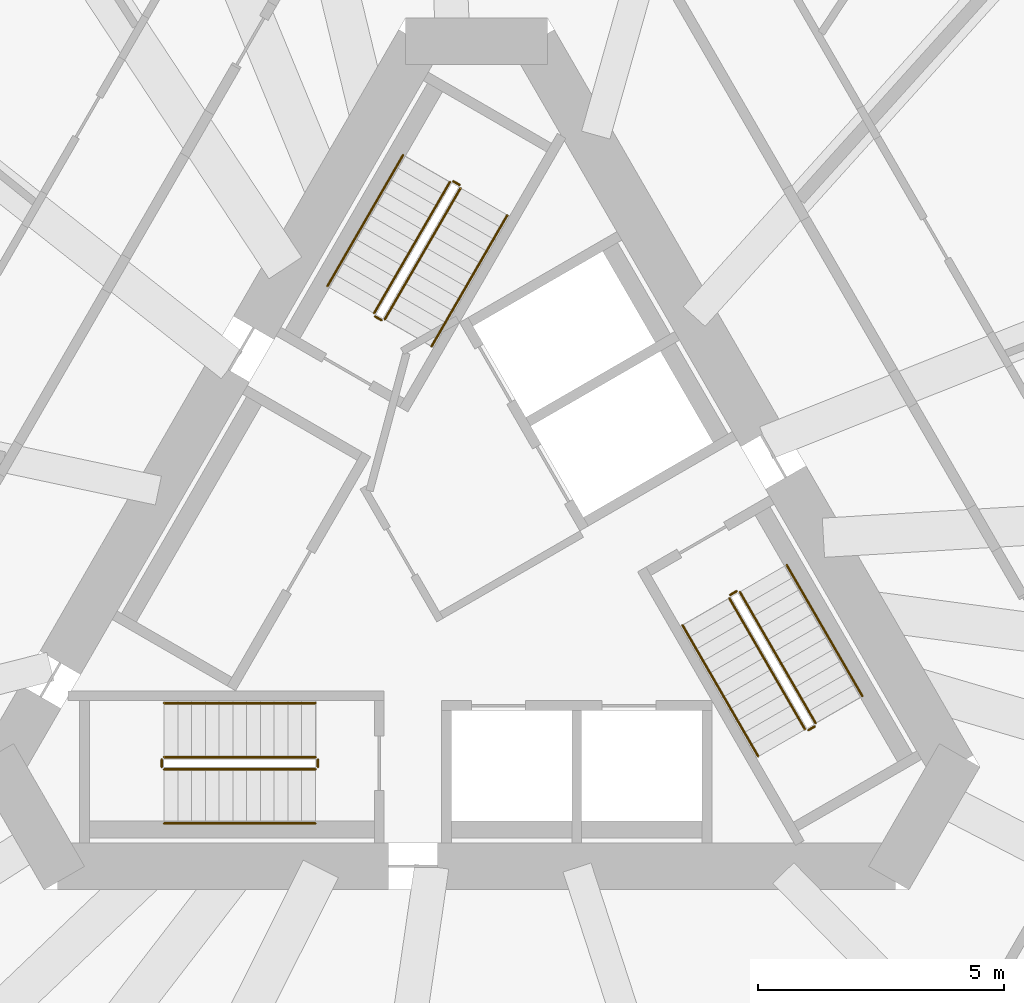
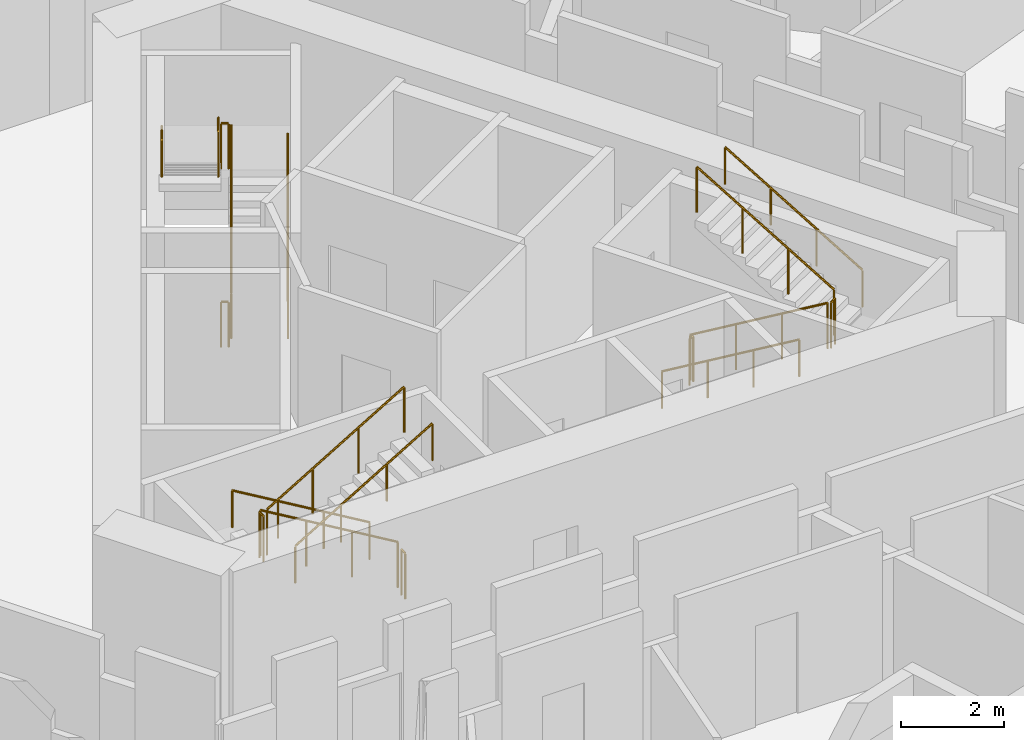
# One storey, part 11 of 12: 18 railings.
"""IFC4 building model written with IfcOpenShell, lengths in metres."""

from ifc_helpers import new_model, si_unit, direction, frame, origin, origin_2d, place, context, subcontext, project, spatial, circle, extrude, material, type_object, element, save


model = new_model("IFC4")

# Units and contexts
model_context = context("Model", 3, precision=1e-05, world=origin(), true_north=direction((0.0, 1.0)))
body_context = subcontext(model_context, "Body", "Model", "MODEL_VIEW")
ifc_project = project(units=[si_unit("LENGTHUNIT", "METRE"), si_unit("AREAUNIT", "SQUARE_METRE"), si_unit("VOLUMEUNIT", "CUBIC_METRE"), si_unit("PLANEANGLEUNIT", "RADIAN"), si_unit("MASSUNIT", "GRAM", prefix="KILO")], contexts=[model_context])

# Site, building, storey
site_placement = place(None, origin())
site = spatial("IfcSite", under=ifc_project, at=site_placement, CompositionType="ELEMENT")
building_placement = place(site_placement, origin())
building = spatial("IfcBuilding", under=site, at=building_placement, Name="Tramontana Tower", CompositionType="ELEMENT")
storey_placement = place(building_placement, frame((0.0, 0.0, 96.39990234375)))
storey = spatial("IfcBuildingStorey", under=building, at=storey_placement, Name="L21", CompositionType="ELEMENT", Elevation=96.39990234375)

# Railings
ifc_material_1 = material(Name="Painted steel", Category="steel")
railing_type_1 = type_object("IfcRailingType", Name="STAIR GUARD 1100", PredefinedType="GUARDRAIL", material=ifc_material_1)
railing_1_placement = place(storey_placement, frame((-1.867431640625, 4.865478515625, 0.166748046875)))
element("IfcRailing", 1, at=railing_1_placement, inside=storey, type_object=railing_type_1, Name="L21 ST1 stair guard 1", PredefinedType="GUARDRAIL", context=body_context, shape_type="SweptSolid", body=[
    extrude(circle(Radius=0.02392578125, at=origin_2d()), frame((0.0, 0.0, 1.076171875), z_axis=(0.429649414936, 0.744189839504, 0.511451721109), x_axis=(-0.866029832698, 0.499992328818, 0.0)), (0.0, 0.0, 1.0), 3.58447265625),
    extrude(circle(Radius=0.02099609375, at=origin_2d()), origin(), (0.0, 0.0, 1.0), 1.052001953125),
    extrude(circle(Radius=0.02099609375, at=origin_2d()), frame((0.513427734375, 0.88916015625, 0.611083984375)), (0.0, 0.0, 1.0), 1.052001953125),
    extrude(circle(Radius=0.02099609375, at=origin_2d()), frame((1.026611328125, 1.7783203125, 1.22216796875)), (0.0, 0.0, 1.0), 1.052001953125),
    extrude(circle(Radius=0.02099609375, at=origin_2d()), frame((1.5400390625, 2.66748046875, 1.833251953125)), (0.0, 0.0, 1.0), 1.052001953125),
])
railing_2_placement = place(storey_placement, frame((-0.5439453125, 7.657958984375, 2.166748046875)))
element("IfcRailing", 2, at=railing_2_placement, inside=storey, type_object=railing_type_1, Name="L21 ST1 stair guard 2", PredefinedType="GUARDRAIL", context=body_context, shape_type="SweptSolid", body=[
    extrude(circle(Radius=0.02392578125, at=origin_2d()), frame((0.0, 0.0, 1.076171875), z_axis=(-0.429649414936, -0.744189839504, 0.511451721109), x_axis=(0.866029832698, -0.499992328818, 0.0)), (0.0, 0.0, 1.0), 3.58447265625),
    extrude(circle(Radius=0.02099609375, at=origin_2d()), origin(), (0.0, 0.0, 1.0), 1.052001953125),
    extrude(circle(Radius=0.02099609375, at=origin_2d()), frame((-0.513427734375, -0.88916015625, 0.611083984375)), (0.0, 0.0, 1.0), 1.052001953125),
    extrude(circle(Radius=0.02099609375, at=origin_2d()), frame((-1.026611328125, -1.7783203125, 1.22216796875)), (0.0, 0.0, 1.0), 1.052001953125),
    extrude(circle(Radius=0.02099609375, at=origin_2d()), frame((-1.5400390625, -2.66748046875, 1.833251953125)), (0.0, 0.0, 1.0), 1.052001953125),
])
railing_3_placement = place(storey_placement, frame((-0.345703125, 7.601318359375, 2.0)))
element("IfcRailing", 3, at=railing_3_placement, inside=storey, type_object=railing_type_1, Name="L21 ST1 stair guard 3", PredefinedType="GUARDRAIL", context=body_context, shape_type="SweptSolid", body=[
    extrude(circle(Radius=0.02392578125, at=origin_2d()), frame((0.0, 0.0, 1.076171875), z_axis=(-0.866131372301, 0.499816412211, 0.0), x_axis=(-0.499816412211, -0.866131372301, 0.0)), (0.0, 0.0, 1.0), 0.14990234375),
    extrude(circle(Radius=0.02099609375, at=origin_2d()), origin(), (0.0, 0.0, 1.0), 1.052001953125),
    extrude(circle(Radius=0.02099609375, at=origin_2d()), frame((-0.1298828125, 0.074951171875, 0.0)), (0.0, 0.0, 1.0), 1.052001953125),
])
railing_4_placement = place(storey_placement, frame((-1.935791015625, 4.84716796875, 0.0)))
element("IfcRailing", 4, at=railing_4_placement, inside=storey, type_object=railing_type_1, Name="L21 ST1 stair guard 4", PredefinedType="GUARDRAIL", context=body_context, shape_type="SweptSolid", body=[
    extrude(circle(Radius=0.02392578125, at=origin_2d()), frame((0.0, 0.0, 1.076171875), z_axis=(-0.865426285481, 0.501036270542, 0.0), x_axis=(-0.501036270542, -0.865426285481, 0.0)), (0.0, 0.0, 1.0), 0.150146484375),
    extrude(circle(Radius=0.02099609375, at=origin_2d()), origin(), (0.0, 0.0, 1.0), 1.052001953125),
    extrude(circle(Radius=0.02099609375, at=origin_2d()), frame((-0.1298828125, 0.0751953125, 0.0)), (0.0, 0.0, 1.0), 1.052001953125),
])
railing_5_placement = place(storey_placement, frame((-3.280029296875, -4.050048828125, 0.166748046875)))
element("IfcRailing", 5, at=railing_5_placement, inside=storey, type_object=railing_type_1, Name="L21 ST2 stair guard 1", PredefinedType="GUARDRAIL", context=body_context, shape_type="SweptSolid", body=[
    extrude(circle(Radius=0.02392578125, at=origin_2d()), frame((0.0, 0.0, 1.076171875), z_axis=(-0.859308565015, 0.0, 0.511457515432), x_axis=(0.0, -1.0, 0.0)), (0.0, 0.0, 1.0), 3.58447265625),
    extrude(circle(Radius=0.02099609375, at=origin_2d()), origin(), (0.0, 0.0, 1.0), 1.052001953125),
    extrude(circle(Radius=0.02099609375, at=origin_2d()), frame((-1.026611328125, 0.0, 0.611083984375)), (0.0, 0.0, 1.0), 1.052001953125),
    extrude(circle(Radius=0.02099609375, at=origin_2d()), frame((-2.053466796875, 0.0, 1.22216796875)), (0.0, 0.0, 1.0), 1.052001953125),
    extrude(circle(Radius=0.02099609375, at=origin_2d()), frame((-3.080078125, 0.0, 1.833251953125)), (0.0, 0.0, 1.0), 1.052001953125),
])
railing_6_placement = place(storey_placement, frame((-6.360107421875, -4.300048828125, 2.166748046875)))
element("IfcRailing", 6, at=railing_6_placement, inside=storey, type_object=railing_type_1, Name="L21 ST2 stair guard 2", PredefinedType="GUARDRAIL", context=body_context, shape_type="SweptSolid", body=[
    extrude(circle(Radius=0.02392578125, at=origin_2d()), frame((0.0, 0.0, 1.076171875), z_axis=(0.859308565015, 0.0, 0.511457515432), x_axis=(0.0, 1.0, 0.0)), (0.0, 0.0, 1.0), 3.58447265625),
    extrude(circle(Radius=0.02099609375, at=origin_2d()), origin(), (0.0, 0.0, 1.0), 1.052001953125),
    extrude(circle(Radius=0.02099609375, at=origin_2d()), frame((1.026611328125, 0.0, 0.611083984375)), (0.0, 0.0, 1.0), 1.052001953125),
    extrude(circle(Radius=0.02099609375, at=origin_2d()), frame((2.053466796875, 0.0, 1.22216796875)), (0.0, 0.0, 1.0), 1.052001953125),
    extrude(circle(Radius=0.02099609375, at=origin_2d()), frame((3.080078125, 0.0, 1.833251953125)), (0.0, 0.0, 1.0), 1.052001953125),
])
for number, where, name in (
    (7, (-6.409912109375, -4.10009765625, 2.0), "L21 ST2 stair guard 3"),
    (8, (-3.22998046875, -4.10009765625, 0.0), "L21 ST2 stair guard 4"),
):
    element("IfcRailing", number, at=place(storey_placement, frame(where)), inside=storey, type_object=railing_type_1, Name=name, PredefinedType="GUARDRAIL", context=body_context, shape_type="SweptSolid", body=[
        extrude(circle(Radius=0.02392578125, at=origin_2d()), frame((0.0, 0.0, 1.076171875), z_axis=(0.0, -1.0, 0.0), x_axis=(1.0, 0.0, 0.0)), (0.0, 0.0, 1.0), 0.14990234375),
        extrude(circle(Radius=0.02099609375, at=origin_2d()), origin(), (0.0, 0.0, 1.0), 1.052001953125),
        extrude(circle(Radius=0.02099609375, at=origin_2d()), frame((0.0, -0.14990234375, 0.0)), (0.0, 0.0, 1.0), 1.052001953125),
    ])
railing_7_placement = place(storey_placement, frame((5.1474609375, -0.815673828125, 0.166748046875)))
element("IfcRailing", 9, at=railing_7_placement, inside=storey, type_object=railing_type_1, Name="L21 ST3 stair guard 1", PredefinedType="GUARDRAIL", context=body_context, shape_type="SweptSolid", body=[
    extrude(circle(Radius=0.02392578125, at=origin_2d()), frame((0.0, 0.0, 1.076171875), z_axis=(0.429671193721, -0.744159446956, 0.511477646425), x_axis=(0.866010015463, 0.500026652407, 0.0)), (0.0, 0.0, 1.0), 3.584228515625),
    extrude(circle(Radius=0.02099609375, at=origin_2d()), origin(), (0.0, 0.0, 1.0), 1.052001953125),
    extrude(circle(Radius=0.02099609375, at=origin_2d()), frame((0.513427734375, -0.88916015625, 0.611083984375)), (0.0, 0.0, 1.0), 1.052001953125),
    extrude(circle(Radius=0.02099609375, at=origin_2d()), frame((1.026611328125, -1.778076171875, 1.22216796875)), (0.0, 0.0, 1.0), 1.052001953125),
    extrude(circle(Radius=0.02099609375, at=origin_2d()), frame((1.5400390625, -2.667236328125, 1.833251953125)), (0.0, 0.0, 1.0), 1.052001953125),
])
railing_8_placement = place(storey_placement, frame((6.90380859375, -3.35791015625, 2.166748046875)))
element("IfcRailing", 10, at=railing_8_placement, inside=storey, type_object=railing_type_1, Name="L21 ST3 stair guard 2", PredefinedType="GUARDRAIL", context=body_context, shape_type="SweptSolid", body=[
    extrude(circle(Radius=0.02392578125, at=origin_2d()), frame((0.0, 0.0, 1.076171875), z_axis=(-0.429615651263, 0.74418122563, 0.511492615401), x_axis=(-0.866044340336, -0.499967199496, 0.0)), (0.0, 0.0, 1.0), 3.584228515625),
    extrude(circle(Radius=0.02099609375, at=origin_2d()), origin(), (0.0, 0.0, 1.0), 1.052001953125),
    extrude(circle(Radius=0.02099609375, at=origin_2d()), frame((-0.51318359375, 0.88916015625, 0.611083984375)), (0.0, 0.0, 1.0), 1.052001953125),
    extrude(circle(Radius=0.02099609375, at=origin_2d()), frame((-1.026611328125, 1.778076171875, 1.22216796875)), (0.0, 0.0, 1.0), 1.052001953125),
    extrude(circle(Radius=0.02099609375, at=origin_2d()), frame((-1.539794921875, 2.667236328125, 1.833251953125)), (0.0, 0.0, 1.0), 1.052001953125),
])
for number, where, name in (
    (11, (6.755615234375, -3.501220703125, 2.0), "L21 ST3 stair guard 3"),
    (12, (5.165771484375, -0.747314453125, 0.0), "L21 ST3 stair guard 4"),
):
    element("IfcRailing", number, at=place(storey_placement, frame(where)), inside=storey, type_object=railing_type_1, Name=name, PredefinedType="GUARDRAIL", context=body_context, shape_type="SweptSolid", body=[
        extrude(circle(Radius=0.02392578125, at=origin_2d()), frame((0.0, 0.0, 1.076171875), z_axis=(0.866131372301, 0.499816412211, 0.0), x_axis=(-0.499816412211, 0.866131372301, 0.0)), (0.0, 0.0, 1.0), 0.14990234375),
        extrude(circle(Radius=0.02099609375, at=origin_2d()), origin(), (0.0, 0.0, 1.0), 1.052001953125),
        extrude(circle(Radius=0.02099609375, at=origin_2d()), frame((0.1298828125, 0.074951171875, 0.0)), (0.0, 0.0, 1.0), 1.052001953125),
    ])
ifc_material_2 = material(Name="Painted steel", Category="steel")
railing_type_2 = type_object("IfcRailingType", Name="STAIR HANDRAIL 900", PredefinedType="HANDRAIL", material=ifc_material_2)
railing_9_placement = place(storey_placement, frame((-0.914794921875, 4.315673828125, 0.166748046875)))
element("IfcRailing", 13, at=railing_9_placement, inside=storey, type_object=railing_type_2, Name="L21 ST1 stair handrail 1", PredefinedType="HANDRAIL", context=body_context, shape_type="SweptSolid", body=[
    extrude(circle(Radius=0.02392578125, at=origin_2d()), frame((0.0, 0.0, 0.8759765625), z_axis=(0.429671193721, 0.744159446956, 0.511477646425), x_axis=(-0.866010015463, 0.500026652407, 0.0)), (0.0, 0.0, 1.0), 3.584228515625),
    extrude(circle(Radius=0.02099609375, at=origin_2d()), origin(), (0.0, 0.0, 1.0), 0.851806640625),
    extrude(circle(Radius=0.02099609375, at=origin_2d()), frame((0.513427734375, 0.88916015625, 0.611083984375)), (0.0, 0.0, 1.0), 0.851806640625),
    extrude(circle(Radius=0.02099609375, at=origin_2d()), frame((1.026611328125, 1.778076171875, 1.22216796875)), (0.0, 0.0, 1.0), 0.851806640625),
    extrude(circle(Radius=0.02099609375, at=origin_2d()), frame((1.5400390625, 2.667236328125, 1.833251953125)), (0.0, 0.0, 1.0), 0.851806640625),
])
railing_10_placement = place(storey_placement, frame((-1.49658203125, 8.2080078125, 2.166748046875)))
element("IfcRailing", 14, at=railing_10_placement, inside=storey, type_object=railing_type_2, Name="L21 ST1 stair handrail 2", PredefinedType="HANDRAIL", context=body_context, shape_type="SweptSolid", body=[
    extrude(circle(Radius=0.02392578125, at=origin_2d()), frame((0.0, 0.0, 0.8759765625), z_axis=(-0.429649414936, -0.744189839504, 0.511451721109), x_axis=(0.866029832698, -0.499992328818, 0.0)), (0.0, 0.0, 1.0), 3.58447265625),
    extrude(circle(Radius=0.02099609375, at=origin_2d()), origin(), (0.0, 0.0, 1.0), 0.851806640625),
    extrude(circle(Radius=0.02099609375, at=origin_2d()), frame((-0.513427734375, -0.88916015625, 0.611083984375)), (0.0, 0.0, 1.0), 0.851806640625),
    extrude(circle(Radius=0.02099609375, at=origin_2d()), frame((-1.026611328125, -1.7783203125, 1.22216796875)), (0.0, 0.0, 1.0), 0.851806640625),
    extrude(circle(Radius=0.02099609375, at=origin_2d()), frame((-1.5400390625, -2.66748046875, 1.833251953125)), (0.0, 0.0, 1.0), 0.851806640625),
])
railing_11_placement = place(storey_placement, frame((-3.280029296875, -2.949951171875, 0.166748046875)))
element("IfcRailing", 15, at=railing_11_placement, inside=storey, type_object=railing_type_2, Name="L21 ST2 stair handrail 1", PredefinedType="HANDRAIL", context=body_context, shape_type="SweptSolid", body=[
    extrude(circle(Radius=0.02392578125, at=origin_2d()), frame((0.0, 0.0, 0.8759765625), z_axis=(-0.859308565015, 0.0, 0.511457515432), x_axis=(0.0, -1.0, 0.0)), (0.0, 0.0, 1.0), 3.58447265625),
    extrude(circle(Radius=0.02099609375, at=origin_2d()), origin(), (0.0, 0.0, 1.0), 0.851806640625),
    extrude(circle(Radius=0.02099609375, at=origin_2d()), frame((-1.026611328125, 0.0, 0.611083984375)), (0.0, 0.0, 1.0), 0.851806640625),
    extrude(circle(Radius=0.02099609375, at=origin_2d()), frame((-2.053466796875, 0.0, 1.22216796875)), (0.0, 0.0, 1.0), 0.851806640625),
    extrude(circle(Radius=0.02099609375, at=origin_2d()), frame((-3.080078125, 0.0, 1.833251953125)), (0.0, 0.0, 1.0), 0.851806640625),
])
railing_12_placement = place(storey_placement, frame((-6.360107421875, -5.39990234375, 2.166748046875)))
element("IfcRailing", 16, at=railing_12_placement, inside=storey, type_object=railing_type_2, Name="L21 ST2 stair handrail 2", PredefinedType="HANDRAIL", context=body_context, shape_type="SweptSolid", body=[
    extrude(circle(Radius=0.02392578125, at=origin_2d()), frame((0.0, 0.0, 0.8759765625), z_axis=(0.859308565015, 0.0, 0.511457515432), x_axis=(0.0, 1.0, 0.0)), (0.0, 0.0, 1.0), 3.58447265625),
    extrude(circle(Radius=0.02099609375, at=origin_2d()), origin(), (0.0, 0.0, 1.0), 0.851806640625),
    extrude(circle(Radius=0.02099609375, at=origin_2d()), frame((1.026611328125, 0.0, 0.611083984375)), (0.0, 0.0, 1.0), 0.851806640625),
    extrude(circle(Radius=0.02099609375, at=origin_2d()), frame((2.053466796875, 0.0, 1.22216796875)), (0.0, 0.0, 1.0), 0.851806640625),
    extrude(circle(Radius=0.02099609375, at=origin_2d()), frame((3.080078125, 0.0, 1.833251953125)), (0.0, 0.0, 1.0), 0.851806640625),
])
railing_13_placement = place(storey_placement, frame((4.19482421875, -1.365478515625, 0.166748046875)))
element("IfcRailing", 17, at=railing_13_placement, inside=storey, type_object=railing_type_2, Name="L21 ST3 stair handrail 1", PredefinedType="HANDRAIL", context=body_context, shape_type="SweptSolid", body=[
    extrude(circle(Radius=0.02392578125, at=origin_2d()), frame((0.0, 0.0, 0.8759765625), z_axis=(0.429649414936, -0.744189839504, 0.511451721109), x_axis=(0.866029832698, 0.499992328818, 0.0)), (0.0, 0.0, 1.0), 3.58447265625),
    extrude(circle(Radius=0.02099609375, at=origin_2d()), origin(), (0.0, 0.0, 1.0), 0.851806640625),
    extrude(circle(Radius=0.02099609375, at=origin_2d()), frame((0.513427734375, -0.88916015625, 0.611083984375)), (0.0, 0.0, 1.0), 0.851806640625),
    extrude(circle(Radius=0.02099609375, at=origin_2d()), frame((1.026611328125, -1.7783203125, 1.22216796875)), (0.0, 0.0, 1.0), 0.851806640625),
    extrude(circle(Radius=0.02099609375, at=origin_2d()), frame((1.5400390625, -2.66748046875, 1.833251953125)), (0.0, 0.0, 1.0), 0.851806640625),
])
railing_14_placement = place(storey_placement, frame((7.8564453125, -2.807861328125, 2.166748046875)))
element("IfcRailing", 18, at=railing_14_placement, inside=storey, type_object=railing_type_2, Name="L21 ST3 stair handrail 2", PredefinedType="HANDRAIL", context=body_context, shape_type="SweptSolid", body=[
    extrude(circle(Radius=0.02392578125, at=origin_2d()), frame((0.0, 0.0, 0.8759765625), z_axis=(-0.429615651263, 0.74418122563, 0.511492615401), x_axis=(-0.866044340336, -0.499967199496, 0.0)), (0.0, 0.0, 1.0), 3.584228515625),
    extrude(circle(Radius=0.02099609375, at=origin_2d()), origin(), (0.0, 0.0, 1.0), 0.851806640625),
    extrude(circle(Radius=0.02099609375, at=origin_2d()), frame((-0.51318359375, 0.88916015625, 0.611083984375)), (0.0, 0.0, 1.0), 0.851806640625),
    extrude(circle(Radius=0.02099609375, at=origin_2d()), frame((-1.026611328125, 1.778076171875, 1.22216796875)), (0.0, 0.0, 1.0), 0.851806640625),
    extrude(circle(Radius=0.02099609375, at=origin_2d()), frame((-1.539794921875, 2.667236328125, 1.833251953125)), (0.0, 0.0, 1.0), 0.851806640625),
])

save(model, "model.ifc")
